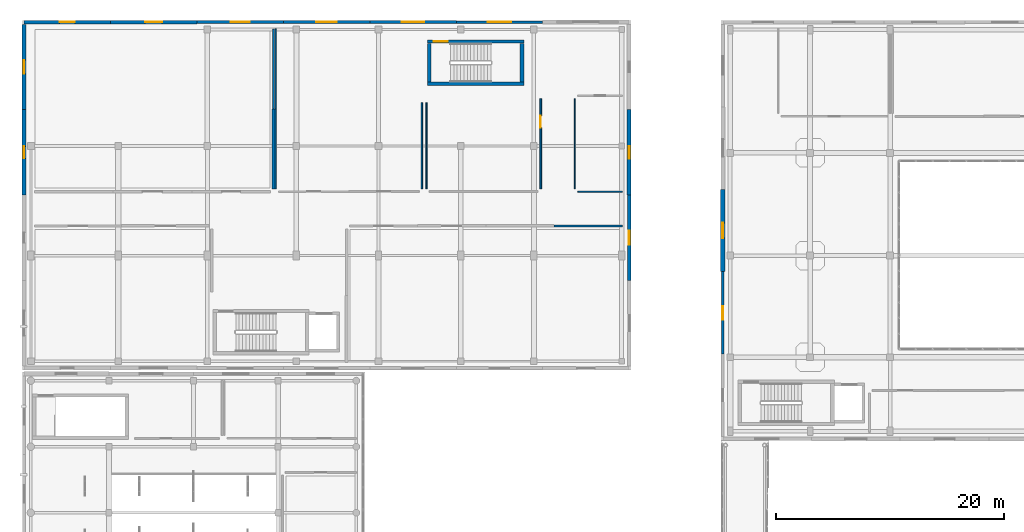
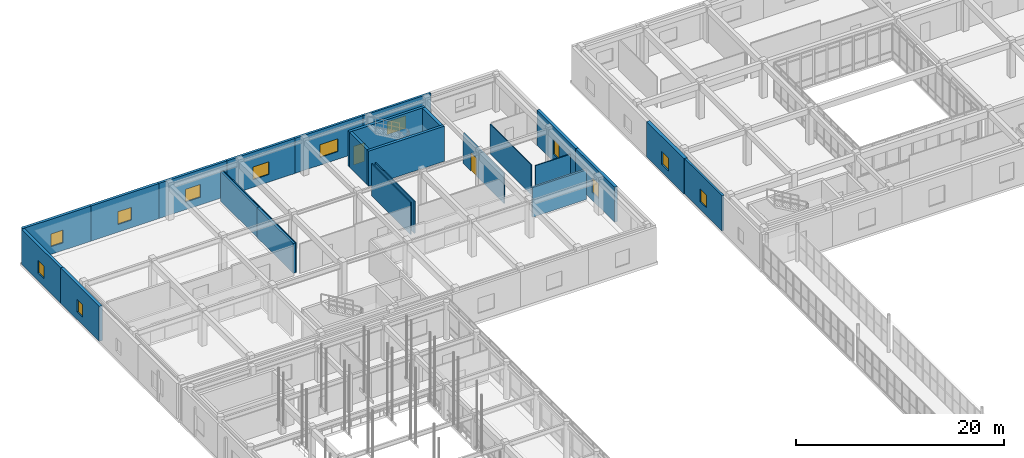
# One storey, part 124 of 142: 26 walls, 12 windows, 2 doors, 14 openings.
"""IFC4 building model written with IfcOpenShell, lengths in metres."""

from ifc_helpers import new_model, si_unit, direction, frame, frame_2d, origin, place, context, subcontext, project, spatial, rectangle, extrude, material, layer, layer_set, type_object, element, fill, save


model = new_model("IFC4")

# Units and contexts
model_context = context("Model", 3, precision=1e-05, world=origin(), true_north=direction((0.0, 1.0)))
body_context = subcontext(model_context, "Body", "Model", "MODEL_VIEW")
ifc_project = project(units=[si_unit("LENGTHUNIT", "METRE"), si_unit("AREAUNIT", "SQUARE_METRE"), si_unit("VOLUMEUNIT", "CUBIC_METRE"), si_unit("PLANEANGLEUNIT", "RADIAN"), si_unit("MASSUNIT", "GRAM", prefix="KILO")], contexts=[model_context])

# Site, building, storey
site_placement = place(None, origin())
site = spatial("IfcSite", under=ifc_project, at=site_placement, CompositionType="ELEMENT")
building_placement = place(site_placement, origin())
building = spatial("IfcBuilding", under=site, at=building_placement, Name="Valcora Specialist Clinic", CompositionType="ELEMENT")
storey_placement = place(building_placement, frame((0.0, 0.0, 5.10009765625)))
storey = spatial("IfcBuildingStorey", under=building, at=storey_placement, Name="L01", CompositionType="ELEMENT", Elevation=5.10009765625)

# Wall
ifc_material_1 = material(Name="Concrete C40/50", Category="concrete")
ifc_layer_1 = layer(ifc_material_1, 0.300048828125)
ifc_layer_set_1 = layer_set([ifc_layer_1], Name="Concrete C40/50")
wall_type_1 = type_object("IfcWallType", Name="TY-WL-CR300", PredefinedType="SHEAR", material=ifc_layer_set_1)
wall_1_placement = place(storey_placement, frame((35.5, 105.25, 0.0), z_axis=(0.0, 0.0, 1.0), x_axis=(1.0, 0.0, 0.0)))
element("IfcWall", 1, at=wall_1_placement, inside=storey, type_object=wall_type_1, Name="Core shear wall WL-CR-C-V2B-L01-S", PredefinedType="SHEAR", context=body_context, shape_type="SweptSolid", body=[
    extrude(rectangle(XDim=8.419921875, YDim=0.300048828125, at=frame_2d((4.2099609375, 0.0))), origin(), (0.0, 0.0, 1.0), 4.1298828125),
])

# Wall, opening, door
wall_2_placement = place(storey_placement, frame((35.5, 108.949951171875, 0.0), z_axis=(0.0, 0.0, 1.0), x_axis=(1.0, 0.0, 0.0)))
wall_2 = element("IfcWall", 2, at=wall_2_placement, inside=storey, type_object=wall_type_1, Name="Core shear wall WL-CR-C-V2B-L01-N", PredefinedType="SHEAR", context=body_context, shape_type="SweptSolid", body=[
    extrude(rectangle(XDim=8.419921875, YDim=0.300048828125, at=frame_2d((4.2099609375, 0.0))), origin(), (0.0, 0.0, 1.0), 4.1298828125),
])
opening_1_placement = place(wall_2_placement, frame((0.550048828125, 0.0, 0.0)))
opening_1 = element("IfcOpeningElement", 3, at=opening_1_placement, cuts=wall_2, Name="Opening DR-FD-120", PredefinedType="OPENING", context=body_context, shape_type="SweptSolid", body=[
    extrude(rectangle(XDim=1.199951171875, YDim=2.199951171875, at=frame_2d((0.60009765625, 1.10009765625))), frame((0.0, 0.159912109375, 0.0), z_axis=(0.0, -1.0, 0.0), x_axis=(1.0, 0.0, 0.0)), (0.0, 0.0, 1.0), 0.320068359375),
])
ifc_material_2 = material(Name="Galvanized Hollow Metal Door Steel ASTM A653", Category="steel")
door_type_1 = type_object("IfcDoorType", Name="TY-DR-ST120", OperationType="NOTDEFINED", PredefinedType="DOOR", material=ifc_material_2)
door_1_placement = place(opening_1_placement, origin())
door_1 = element("IfcDoor", 4, at=door_1_placement, inside=storey, type_object=door_type_1, Name="Exit stair fire door C-V2B L01", OperationType="SINGLE_SWING_LEFT", OverallHeight=2.199951171875, OverallWidth=1.199951171875, PredefinedType="DOOR", context=body_context, shape_type="SweptSolid", body=[
    extrude(rectangle(XDim=1.199951171875, YDim=2.199951171875, at=frame_2d((0.60009765625, 1.10009765625))), frame((0.0, 0.02490234375, 0.0), z_axis=(0.0, -1.0, 0.0), x_axis=(1.0, 0.0, 0.0)), (0.0, 0.0, 1.0), 0.050048828125),
])
fill(opening_1, door_1)

# Walls
wall_3_placement = place(storey_placement, frame((35.64990234375, 105.402099609375, 0.0), z_axis=(0.0, 0.0, 1.0), x_axis=(0.0, 1.0, 0.0)))
element("IfcWall", 5, at=wall_3_placement, inside=storey, type_object=wall_type_1, Name="Core shear wall WL-CR-C-V2B-L01-W", PredefinedType="SHEAR", context=body_context, shape_type="SweptSolid", body=[
    extrude(rectangle(XDim=3.39599609375, YDim=0.300048828125, at=frame_2d((1.697998046875, 0.0))), origin(), (0.0, 0.0, 1.0), 4.1298828125),
])
ifc_layer_2 = layer(ifc_material_1, 0.320068359375)
ifc_layer_set_2 = layer_set([ifc_layer_2], Name="Concrete C40/50")
wall_type_2 = type_object("IfcWallType", Name="TY-WL-CR320", PredefinedType="SHEAR", material=ifc_layer_set_2)
wall_4_placement = place(storey_placement, frame((43.760009765625, 105.402099609375, 0.0), z_axis=(0.0, 0.0, 1.0), x_axis=(0.0, 1.0, 0.0)))
element("IfcWall", 6, at=wall_4_placement, inside=storey, type_object=wall_type_2, Name="Core shear wall WL-CR-C-V2B-L01-E", PredefinedType="SHEAR", context=body_context, shape_type="SweptSolid", body=[
    extrude(rectangle(XDim=3.39599609375, YDim=0.320068359375, at=frame_2d((1.697998046875, 0.0))), origin(), (0.0, 0.0, 1.0), 4.1298828125),
])

# Wall, opening, window
ifc_material_3 = material(Name="Extruded Jalisco Clay Brick Masonry", Category="masonry")
ifc_layer_3 = layer(ifc_material_3, 0.235107421875)
ifc_layer_set_3 = layer_set([ifc_layer_3], Name="Extruded Jalisco Clay Brick Masonry")
wall_type_3 = type_object("IfcWallType", Name="TY-WL-EW235", PredefinedType="SOLIDWALL", material=ifc_layer_set_3)
wall_5_placement = place(storey_placement, frame((38.007080078125, 110.64990234375, 0.0), z_axis=(0.0, 0.0, 1.0), x_axis=(1.0, 0.0, 0.0)))
wall_5 = element("IfcWall", 7, at=wall_5_placement, inside=storey, type_object=wall_type_3, Name="Exterior wall WL-EXT-L01-0070", PredefinedType="SOLIDWALL", context=body_context, shape_type="SweptSolid", body=[
    extrude(rectangle(XDim=7.571533203125, YDim=0.235107421875, at=frame_2d((3.78564453125, 0.0))), origin(), (0.0, 0.0, 1.0), 4.1298828125),
])
opening_2_placement = place(wall_5_placement, frame((2.736083984375, 0.0, 0.89990234375)))
opening_2 = element("IfcOpeningElement", 8, at=opening_2_placement, cuts=wall_5, Name="Opening WN-09", PredefinedType="OPENING", context=body_context, shape_type="SweptSolid", body=[
    extrude(rectangle(XDim=2.10009765625, YDim=1.5, at=frame_2d((1.050048828125, 0.75))), frame((0.0, 0.12744140625, 0.0), z_axis=(0.0, -1.0, 0.0), x_axis=(1.0, 0.0, 0.0)), (0.0, 0.0, 1.0), 0.255126953125),
])
ifc_material_4 = material(Name="Low-E Laminated Insulating Glass", Category="glass")
window_type_1 = type_object("IfcWindowType", Name="TY-WN-09", PartitioningType="SINGLE_PANEL", PredefinedType="WINDOW", material=ifc_material_4)
window_1_placement = place(opening_2_placement, origin())
window_1 = element("IfcWindow", 9, at=window_1_placement, inside=storey, type_object=window_type_1, Name="Facade window WN-L01-0051", OverallHeight=1.5, OverallWidth=2.10009765625, PartitioningType="SINGLE_PANEL", PredefinedType="WINDOW", context=body_context, shape_type="SweptSolid", body=[
    extrude(rectangle(XDim=2.10009765625, YDim=1.5, at=frame_2d((1.050048828125, 0.75))), frame((0.0, 0.030029296875, 0.0), z_axis=(0.0, -1.0, 0.0), x_axis=(1.0, 0.0, 0.0)), (0.0, 0.0, 1.0), 0.06005859375),
])
fill(opening_2, window_1)

wall_6_placement = place(storey_placement, frame((61.35009765625, 81.56396484375, 0.0), z_axis=(0.0, 0.0, 1.0), x_axis=(0.0, 1.0, 0.0)))
wall_6 = element("IfcWall", 10, at=wall_6_placement, inside=storey, type_object=wall_type_3, Name="Exterior wall WL-EXT-L01-0150", PredefinedType="SOLIDWALL", context=body_context, shape_type="SweptSolid", body=[
    extrude(rectangle(XDim=7.22412109375, YDim=0.235107421875, at=frame_2d((3.612060546875, 0.0))), origin(), (0.0, 0.0, 1.0), 4.14501953125),
])
opening_3_placement = place(wall_6_placement, frame((3.011962890625, 0.0, 0.89990234375)))
opening_3 = element("IfcOpeningElement", 11, at=opening_3_placement, cuts=wall_6, Name="Opening WN-03", PredefinedType="OPENING", context=body_context, shape_type="SweptSolid", body=[
    extrude(rectangle(XDim=1.199951171875, YDim=1.5, at=frame_2d((0.60009765625, 0.75))), frame((0.0, 0.12744140625, 0.0), z_axis=(0.0, -1.0, 0.0), x_axis=(1.0, 0.0, 0.0)), (0.0, 0.0, 1.0), 0.255126953125),
])
window_type_2 = type_object("IfcWindowType", Name="TY-WN-03", PartitioningType="SINGLE_PANEL", PredefinedType="WINDOW", material=ifc_material_4)
window_2_placement = place(opening_3_placement, origin())
window_2 = element("IfcWindow", 12, at=window_2_placement, inside=storey, type_object=window_type_2, Name="Facade window WN-L01-0129", OverallHeight=1.5, OverallWidth=1.199951171875, PartitioningType="SINGLE_PANEL", PredefinedType="WINDOW", context=body_context, shape_type="SweptSolid", body=[
    extrude(rectangle(XDim=1.199951171875, YDim=1.5, at=frame_2d((0.60009765625, 0.75))), frame((0.0, 0.030029296875, 0.0), z_axis=(0.0, -1.0, 0.0), x_axis=(1.0, 0.0, 0.0)), (0.0, 0.0, 1.0), 0.06005859375),
])
fill(opening_3, window_2)

ifc_layer_4 = layer(ifc_material_3, 0.25)
ifc_layer_set_4 = layer_set([ifc_layer_4], Name="Extruded Jalisco Clay Brick Masonry")
wall_type_4 = type_object("IfcWallType", Name="TY-WL-EW250", PredefinedType="SOLIDWALL", material=ifc_layer_set_4)
wall_7_placement = place(storey_placement, frame((30.435791015625, 110.64990234375, 0.0), z_axis=(0.0, 0.0, 1.0), x_axis=(1.0, 0.0, 0.0)))
wall_7 = element("IfcWall", 13, at=wall_7_placement, inside=storey, type_object=wall_type_4, Name="Exterior wall WL-EXT-L01-0069", PredefinedType="SOLIDWALL", context=body_context, shape_type="SweptSolid", body=[
    extrude(rectangle(XDim=7.5712890625, YDim=0.25, at=frame_2d((3.78564453125, 0.0))), origin(), (0.0, 0.0, 1.0), 4.1298828125),
])
opening_4_placement = place(wall_7_placement, frame((2.81103515625, 0.0, 0.89990234375)))
opening_4 = element("IfcOpeningElement", 14, at=opening_4_placement, cuts=wall_7, Name="Opening WN-08", PredefinedType="OPENING", context=body_context, shape_type="SweptSolid", body=[
    extrude(rectangle(XDim=1.949951171875, YDim=1.5, at=frame_2d((0.97509765625, 0.75))), frame((0.0, 0.135009765625, 0.0), z_axis=(0.0, -1.0, 0.0), x_axis=(1.0, 0.0, 0.0)), (0.0, 0.0, 1.0), 0.27001953125),
])
window_type_3 = type_object("IfcWindowType", Name="TY-WN-08", PartitioningType="SINGLE_PANEL", PredefinedType="WINDOW", material=ifc_material_4)
window_3_placement = place(opening_4_placement, origin())
window_3 = element("IfcWindow", 15, at=window_3_placement, inside=storey, type_object=window_type_3, Name="Facade window WN-L01-0050", OverallHeight=1.5, OverallWidth=1.949951171875, PartitioningType="SINGLE_PANEL", PredefinedType="WINDOW", context=body_context, shape_type="SweptSolid", body=[
    extrude(rectangle(XDim=1.949951171875, YDim=1.5, at=frame_2d((0.97509765625, 0.75))), frame((0.0, 0.030029296875, 0.0), z_axis=(0.0, -1.0, 0.0), x_axis=(1.0, 0.0, 0.0)), (0.0, 0.0, 1.0), 0.06005859375),
])
fill(opening_4, window_3)

ifc_layer_5 = layer(ifc_material_3, 0.264892578125)
ifc_layer_set_5 = layer_set([ifc_layer_5], Name="Extruded Jalisco Clay Brick Masonry")
wall_type_5 = type_object("IfcWallType", Name="TY-WL-EW265", PredefinedType="SOLIDWALL", material=ifc_layer_set_5)
wall_8_placement = place(storey_placement, frame((22.8642578125, 110.64990234375, 0.0), z_axis=(0.0, 0.0, 1.0), x_axis=(1.0, 0.0, 0.0)))
wall_8 = element("IfcWall", 16, at=wall_8_placement, inside=storey, type_object=wall_type_5, Name="Exterior wall WL-EXT-L01-0068", PredefinedType="SOLIDWALL", context=body_context, shape_type="SweptSolid", body=[
    extrude(rectangle(XDim=7.571533203125, YDim=0.264892578125, at=frame_2d((3.78564453125, 0.0))), origin(), (0.0, 0.0, 1.0), 4.1298828125),
])
opening_5_placement = place(wall_8_placement, frame((2.885986328125, 0.0, 0.89990234375)))
opening_5 = element("IfcOpeningElement", 17, at=opening_5_placement, cuts=wall_8, Name="Opening WN-07", PredefinedType="OPENING", context=body_context, shape_type="SweptSolid", body=[
    extrude(rectangle(XDim=1.800048828125, YDim=1.5, at=frame_2d((0.89990234375, 0.75))), frame((0.0, 0.142333984375, 0.0), z_axis=(0.0, -1.0, 0.0), x_axis=(1.0, 0.0, 0.0)), (0.0, 0.0, 1.0), 0.284912109375),
])
window_type_4 = type_object("IfcWindowType", Name="TY-WN-07", PartitioningType="SINGLE_PANEL", PredefinedType="WINDOW", material=ifc_material_4)
window_4_placement = place(opening_5_placement, origin())
window_4 = element("IfcWindow", 18, at=window_4_placement, inside=storey, type_object=window_type_4, Name="Facade window WN-L01-0049", OverallHeight=1.5, OverallWidth=1.800048828125, PartitioningType="SINGLE_PANEL", PredefinedType="WINDOW", context=body_context, shape_type="SweptSolid", body=[
    extrude(rectangle(XDim=1.800048828125, YDim=1.5, at=frame_2d((0.89990234375, 0.75))), frame((0.0, 0.030029296875, 0.0), z_axis=(0.0, -1.0, 0.0), x_axis=(1.0, 0.0, 0.0)), (0.0, 0.0, 1.0), 0.06005859375),
])
fill(opening_5, window_4)

ifc_layer_6 = layer(ifc_material_3, 0.280029296875)
ifc_layer_set_6 = layer_set([ifc_layer_6], Name="Extruded Jalisco Clay Brick Masonry")
wall_type_6 = type_object("IfcWallType", Name="TY-WL-EW280", PredefinedType="SOLIDWALL", material=ifc_layer_set_6)
wall_9_placement = place(storey_placement, frame((15.29296875, 110.64990234375, 0.0), z_axis=(0.0, 0.0, 1.0), x_axis=(1.0, 0.0, 0.0)))
wall_9 = element("IfcWall", 19, at=wall_9_placement, inside=storey, type_object=wall_type_6, Name="Exterior wall WL-EXT-L01-0067", PredefinedType="SOLIDWALL", context=body_context, shape_type="SweptSolid", body=[
    extrude(rectangle(XDim=7.5712890625, YDim=0.280029296875, at=frame_2d((3.78564453125, 0.0))), origin(), (0.0, 0.0, 1.0), 4.1298828125),
])
opening_6_placement = place(wall_9_placement, frame((2.9609375, 0.0, 0.89990234375)))
opening_6 = element("IfcOpeningElement", 20, at=opening_6_placement, cuts=wall_9, Name="Opening WN-06", PredefinedType="OPENING", context=body_context, shape_type="SweptSolid", body=[
    extrude(rectangle(XDim=1.64990234375, YDim=1.5, at=frame_2d((0.824951171875, 0.75))), frame((0.0, 0.14990234375, 0.0), z_axis=(0.0, -1.0, 0.0), x_axis=(1.0, 0.0, 0.0)), (0.0, 0.0, 1.0), 0.300048828125),
])
window_type_5 = type_object("IfcWindowType", Name="TY-WN-06", PartitioningType="SINGLE_PANEL", PredefinedType="WINDOW", material=ifc_material_4)
window_5_placement = place(opening_6_placement, origin())
window_5 = element("IfcWindow", 21, at=window_5_placement, inside=storey, type_object=window_type_5, Name="Facade window WN-L01-0048", OverallHeight=1.5, OverallWidth=1.64990234375, PartitioningType="SINGLE_PANEL", PredefinedType="WINDOW", context=body_context, shape_type="SweptSolid", body=[
    extrude(rectangle(XDim=1.64990234375, YDim=1.5, at=frame_2d((0.824951171875, 0.75))), frame((0.0, 0.030029296875, 0.0), z_axis=(0.0, -1.0, 0.0), x_axis=(1.0, 0.0, 0.0)), (0.0, 0.0, 1.0), 0.06005859375),
])
fill(opening_6, window_5)

ifc_layer_7 = layer(ifc_material_3, 0.294921875)
ifc_layer_set_7 = layer_set([ifc_layer_7], Name="Extruded Jalisco Clay Brick Masonry")
wall_type_7 = type_object("IfcWallType", Name="TY-WL-EW295", PredefinedType="SOLIDWALL", material=ifc_layer_set_7)
wall_10_placement = place(storey_placement, frame((7.721435546875, 110.64990234375, 0.0), z_axis=(0.0, 0.0, 1.0), x_axis=(1.0, 0.0, 0.0)))
wall_10 = element("IfcWall", 22, at=wall_10_placement, inside=storey, type_object=wall_type_7, Name="Exterior wall WL-EXT-L01-0066", PredefinedType="SOLIDWALL", context=body_context, shape_type="SweptSolid", body=[
    extrude(rectangle(XDim=7.571533203125, YDim=0.294921875, at=frame_2d((3.78564453125, 0.0))), origin(), (0.0, 0.0, 1.0), 4.1298828125),
])
opening_7_placement = place(wall_10_placement, frame((3.035888671875, 0.0, 0.89990234375)))
opening_7 = element("IfcOpeningElement", 23, at=opening_7_placement, cuts=wall_10, Name="Opening WN-05", PredefinedType="OPENING", context=body_context, shape_type="SweptSolid", body=[
    extrude(rectangle(XDim=1.5, YDim=1.5, at=frame_2d((0.75, 0.75))), frame((0.0, 0.157470703125, 0.0), z_axis=(0.0, -1.0, 0.0), x_axis=(1.0, 0.0, 0.0)), (0.0, 0.0, 1.0), 0.31494140625),
])
window_type_6 = type_object("IfcWindowType", Name="TY-WN-05", PartitioningType="SINGLE_PANEL", PredefinedType="WINDOW", material=ifc_material_4)
window_6_placement = place(opening_7_placement, origin())
window_6 = element("IfcWindow", 24, at=window_6_placement, inside=storey, type_object=window_type_6, Name="Facade window WN-L01-0047", OverallHeight=1.5, OverallWidth=1.5, PartitioningType="SINGLE_PANEL", PredefinedType="WINDOW", context=body_context, shape_type="SweptSolid", body=[
    extrude(rectangle(XDim=1.5, YDim=1.5, at=frame_2d((0.75, 0.75))), frame((0.0, 0.030029296875, 0.0), z_axis=(0.0, -1.0, 0.0), x_axis=(1.0, 0.0, 0.0)), (0.0, 0.0, 1.0), 0.06005859375),
])
fill(opening_7, window_6)

ifc_layer_8 = layer(ifc_material_3, 0.31005859375)
ifc_layer_set_8 = layer_set([ifc_layer_8], Name="Extruded Jalisco Clay Brick Masonry")
wall_type_8 = type_object("IfcWallType", Name="TY-WL-EW310", PredefinedType="SOLIDWALL", material=ifc_layer_set_8)
wall_11_placement = place(storey_placement, frame((0.14990234375, 110.64990234375, 0.0), z_axis=(0.0, 0.0, 1.0), x_axis=(1.0, 0.0, 0.0)))
wall_11 = element("IfcWall", 25, at=wall_11_placement, inside=storey, type_object=wall_type_8, Name="Exterior wall WL-EXT-L01-0065", PredefinedType="SOLIDWALL", context=body_context, shape_type="SweptSolid", body=[
    extrude(rectangle(XDim=7.571533203125, YDim=0.31005859375, at=frame_2d((3.78564453125, 0.0))), origin(), (0.0, 0.0, 1.0), 4.1298828125),
])
opening_8_placement = place(wall_11_placement, frame((3.111083984375, 0.0, 0.89990234375)))
opening_8 = element("IfcOpeningElement", 26, at=opening_8_placement, cuts=wall_11, Name="Opening WN-04", PredefinedType="OPENING", context=body_context, shape_type="SweptSolid", body=[
    extrude(rectangle(XDim=1.35009765625, YDim=1.5, at=frame_2d((0.675048828125, 0.75))), frame((0.0, 0.1650390625, 0.0), z_axis=(0.0, -1.0, 0.0), x_axis=(1.0, 0.0, 0.0)), (0.0, 0.0, 1.0), 0.330078125),
])
window_type_7 = type_object("IfcWindowType", Name="TY-WN-04", PartitioningType="SINGLE_PANEL", PredefinedType="WINDOW", material=ifc_material_4)
window_7_placement = place(opening_8_placement, origin())
window_7 = element("IfcWindow", 27, at=window_7_placement, inside=storey, type_object=window_type_7, Name="Facade window WN-L01-0046", OverallHeight=1.5, OverallWidth=1.35009765625, PartitioningType="SINGLE_PANEL", PredefinedType="WINDOW", context=body_context, shape_type="SweptSolid", body=[
    extrude(rectangle(XDim=1.35009765625, YDim=1.5, at=frame_2d((0.675048828125, 0.75))), frame((0.0, 0.030029296875, 0.0), z_axis=(0.0, -1.0, 0.0), x_axis=(1.0, 0.0, 0.0)), (0.0, 0.0, 1.0), 0.06005859375),
])
fill(opening_8, window_7)

ifc_layer_9 = layer(ifc_material_3, 0.324951171875)
ifc_layer_set_9 = layer_set([ifc_layer_9], Name="Extruded Jalisco Clay Brick Masonry")
wall_type_9 = type_object("IfcWallType", Name="TY-WL-EW325", PredefinedType="SOLIDWALL", material=ifc_layer_set_9)
wall_12_placement = place(storey_placement, frame((0.14990234375, 102.97998046875, 0.0), z_axis=(0.0, 0.0, 1.0), x_axis=(0.0, 1.0, 0.0)))
wall_12 = element("IfcWall", 28, at=wall_12_placement, inside=storey, type_object=wall_type_9, Name="Exterior wall WL-EXT-L01-0064", PredefinedType="SOLIDWALL", context=body_context, shape_type="SweptSolid", body=[
    extrude(rectangle(XDim=7.47998046875, YDim=0.324951171875, at=frame_2d((3.739990234375, 0.0))), origin(), (0.0, 0.0, 1.0), 4.1298828125),
])
opening_9_placement = place(wall_12_placement, frame((3.139892578125, 0.0, 0.89990234375)))
opening_9 = element("IfcOpeningElement", 29, at=opening_9_placement, cuts=wall_12, Name="Opening WN-03", PredefinedType="OPENING", context=body_context, shape_type="SweptSolid", body=[
    extrude(rectangle(XDim=1.199951171875, YDim=1.5, at=frame_2d((0.60009765625, 0.75))), frame((0.0, 0.17236328125, 0.0), z_axis=(0.0, -1.0, 0.0), x_axis=(1.0, 0.0, 0.0)), (0.0, 0.0, 1.0), 0.344970703125),
])
window_8_placement = place(opening_9_placement, origin())
window_8 = element("IfcWindow", 30, at=window_8_placement, inside=storey, type_object=window_type_2, Name="Facade window WN-L01-0045", OverallHeight=1.5, OverallWidth=1.199951171875, PartitioningType="SINGLE_PANEL", PredefinedType="WINDOW", context=body_context, shape_type="SweptSolid", body=[
    extrude(rectangle(XDim=1.199951171875, YDim=1.5, at=frame_2d((0.60009765625, 0.75))), frame((0.0, 0.030029296875, 0.0), z_axis=(0.0, -1.0, 0.0), x_axis=(1.0, 0.0, 0.0)), (0.0, 0.0, 1.0), 0.06005859375),
])
fill(opening_9, window_8)

wall_13_placement = place(storey_placement, frame((53.14990234375, 95.5, 0.0), z_axis=(0.0, 0.0, 1.0), x_axis=(0.0, -1.0, 0.0)))
wall_13 = element("IfcWall", 31, at=wall_13_placement, inside=storey, type_object=wall_type_9, Name="Exterior wall WL-EXT-L01-0074", PredefinedType="SOLIDWALL", context=body_context, shape_type="SweptSolid", body=[
    extrude(rectangle(XDim=7.47998046875, YDim=0.324951171875, at=frame_2d((3.739990234375, 0.0))), origin(), (0.0, 0.0, 1.0), 4.1298828125),
])
opening_10_placement = place(wall_13_placement, frame((3.114990234375, 0.0, 0.89990234375)))
opening_10 = element("IfcOpeningElement", 32, at=opening_10_placement, cuts=wall_13, Name="Opening WN-13", PredefinedType="OPENING", context=body_context, shape_type="SweptSolid", body=[
    extrude(rectangle(XDim=1.25, YDim=1.75, at=frame_2d((0.625, 0.875))), frame((0.0, 0.17236328125, 0.0), z_axis=(0.0, -1.0, 0.0), x_axis=(1.0, 0.0, 0.0)), (0.0, 0.0, 1.0), 0.344970703125),
])
window_type_8 = type_object("IfcWindowType", Name="TY-WN-13", PartitioningType="SINGLE_PANEL", PredefinedType="WINDOW", material=ifc_material_4)
window_9_placement = place(opening_10_placement, origin())
window_9 = element("IfcWindow", 33, at=window_9_placement, inside=storey, type_object=window_type_8, Name="Facade window WN-L01-0055", OverallHeight=1.75, OverallWidth=1.25, PartitioningType="SINGLE_PANEL", PredefinedType="WINDOW", context=body_context, shape_type="SweptSolid", body=[
    extrude(rectangle(XDim=1.25, YDim=1.75, at=frame_2d((0.625, 0.875))), frame((0.0, 0.030029296875, 0.0), z_axis=(0.0, -1.0, 0.0), x_axis=(1.0, 0.0, 0.0)), (0.0, 0.0, 1.0), 0.06005859375),
])
fill(opening_10, window_9)

ifc_layer_10 = layer(ifc_material_3, 0.340087890625)
ifc_layer_set_10 = layer_set([ifc_layer_10], Name="Extruded Jalisco Clay Brick Masonry")
wall_type_10 = type_object("IfcWallType", Name="TY-WL-EW340", PredefinedType="SOLIDWALL", material=ifc_layer_set_10)
wall_14_placement = place(storey_placement, frame((0.14990234375, 95.5, 0.0), z_axis=(0.0, 0.0, 1.0), x_axis=(0.0, 1.0, 0.0)))
wall_14 = element("IfcWall", 34, at=wall_14_placement, inside=storey, type_object=wall_type_10, Name="Exterior wall WL-EXT-L01-0063", PredefinedType="SOLIDWALL", context=body_context, shape_type="SweptSolid", body=[
    extrude(rectangle(XDim=7.47998046875, YDim=0.340087890625, at=frame_2d((3.739990234375, 0.0))), origin(), (0.0, 0.0, 1.0), 4.1298828125),
])
opening_11_placement = place(wall_14_placement, frame((3.215087890625, 0.0, 0.89990234375)))
opening_11 = element("IfcOpeningElement", 35, at=opening_11_placement, cuts=wall_14, Name="Opening WN-02", PredefinedType="OPENING", context=body_context, shape_type="SweptSolid", body=[
    extrude(rectangle(XDim=1.050048828125, YDim=1.5, at=frame_2d((0.52490234375, 0.75))), frame((0.0, 0.179931640625, 0.0), z_axis=(0.0, -1.0, 0.0), x_axis=(1.0, 0.0, 0.0)), (0.0, 0.0, 1.0), 0.360107421875),
])
window_type_9 = type_object("IfcWindowType", Name="TY-WN-02", PartitioningType="SINGLE_PANEL", PredefinedType="WINDOW", material=ifc_material_4)
window_10_placement = place(opening_11_placement, origin())
window_10 = element("IfcWindow", 36, at=window_10_placement, inside=storey, type_object=window_type_9, Name="Facade window WN-L01-0044", OverallHeight=1.5, OverallWidth=1.050048828125, PartitioningType="SINGLE_PANEL", PredefinedType="WINDOW", context=body_context, shape_type="SweptSolid", body=[
    extrude(rectangle(XDim=1.050048828125, YDim=1.5, at=frame_2d((0.52490234375, 0.75))), frame((0.0, 0.030029296875, 0.0), z_axis=(0.0, -1.0, 0.0), x_axis=(1.0, 0.0, 0.0)), (0.0, 0.0, 1.0), 0.06005859375),
])
fill(opening_11, window_10)

wall_15_placement = place(storey_placement, frame((53.14990234375, 102.97998046875, 0.0), z_axis=(0.0, 0.0, 1.0), x_axis=(0.0, -1.0, 0.0)))
wall_15 = element("IfcWall", 37, at=wall_15_placement, inside=storey, type_object=wall_type_10, Name="Exterior wall WL-EXT-L01-0073", PredefinedType="SOLIDWALL", context=body_context, shape_type="SweptSolid", body=[
    extrude(rectangle(XDim=7.47998046875, YDim=0.340087890625, at=frame_2d((3.739990234375, 0.0))), origin(), (0.0, 0.0, 1.0), 4.1298828125),
])
opening_12_placement = place(wall_15_placement, frame((3.18994140625, 0.0, 0.89990234375)))
opening_12 = element("IfcOpeningElement", 38, at=opening_12_placement, cuts=wall_15, Name="Opening WN-12", PredefinedType="OPENING", context=body_context, shape_type="SweptSolid", body=[
    extrude(rectangle(XDim=1.10009765625, YDim=1.75, at=frame_2d((0.550048828125, 0.875))), frame((0.0, 0.179931640625, 0.0), z_axis=(0.0, -1.0, 0.0), x_axis=(1.0, 0.0, 0.0)), (0.0, 0.0, 1.0), 0.360107421875),
])
window_type_10 = type_object("IfcWindowType", Name="TY-WN-12", PartitioningType="SINGLE_PANEL", PredefinedType="WINDOW", material=ifc_material_4)
window_11_placement = place(opening_12_placement, origin())
window_11 = element("IfcWindow", 39, at=window_11_placement, inside=storey, type_object=window_type_10, Name="Facade window WN-L01-0054", OverallHeight=1.75, OverallWidth=1.10009765625, PartitioningType="SINGLE_PANEL", PredefinedType="WINDOW", context=body_context, shape_type="SweptSolid", body=[
    extrude(rectangle(XDim=1.10009765625, YDim=1.75, at=frame_2d((0.550048828125, 0.875))), frame((0.0, 0.030029296875, 0.0), z_axis=(0.0, -1.0, 0.0), x_axis=(1.0, 0.0, 0.0)), (0.0, 0.0, 1.0), 0.06005859375),
])
fill(opening_12, window_11)

ifc_layer_11 = layer(ifc_material_3, 0.3701171875)
ifc_layer_set_11 = layer_set([ifc_layer_11], Name="Extruded Jalisco Clay Brick Masonry")
wall_type_11 = type_object("IfcWallType", Name="TY-WL-EW370", PredefinedType="SOLIDWALL", material=ifc_layer_set_11)
wall_16_placement = place(storey_placement, frame((61.35009765625, 88.7880859375, 0.0), z_axis=(0.0, 0.0, 1.0), x_axis=(0.0, 1.0, 0.0)))
wall_16 = element("IfcWall", 40, at=wall_16_placement, inside=storey, type_object=wall_type_11, Name="Exterior wall WL-EXT-L01-0151", PredefinedType="SOLIDWALL", context=body_context, shape_type="SweptSolid", body=[
    extrude(rectangle(XDim=7.223876953125, YDim=0.3701171875, at=frame_2d((3.61181640625, 0.0))), origin(), (0.0, 0.0, 1.0), 4.14501953125),
])
opening_13_placement = place(wall_16_placement, frame((2.93701171875, 0.0, 0.89990234375)))
opening_13 = element("IfcOpeningElement", 41, at=opening_13_placement, cuts=wall_16, Name="Opening WN-04", PredefinedType="OPENING", context=body_context, shape_type="SweptSolid", body=[
    extrude(rectangle(XDim=1.35009765625, YDim=1.5, at=frame_2d((0.675048828125, 0.75))), frame((0.0, 0.195068359375, 0.0), z_axis=(0.0, -1.0, 0.0), x_axis=(1.0, 0.0, 0.0)), (0.0, 0.0, 1.0), 0.39013671875),
])
window_12_placement = place(opening_13_placement, origin())
window_12 = element("IfcWindow", 42, at=window_12_placement, inside=storey, type_object=window_type_7, Name="Facade window WN-L01-0130", OverallHeight=1.5, OverallWidth=1.35009765625, PartitioningType="SINGLE_PANEL", PredefinedType="WINDOW", context=body_context, shape_type="SweptSolid", body=[
    extrude(rectangle(XDim=1.35009765625, YDim=1.5, at=frame_2d((0.675048828125, 0.75))), frame((0.0, 0.030029296875, 0.0), z_axis=(0.0, -1.0, 0.0), x_axis=(1.0, 0.0, 0.0)), (0.0, 0.0, 1.0), 0.06005859375),
])
fill(opening_13, window_12)

# Walls
ifc_material_5 = material(Name="Gypsum Board Partition Assembly")
ifc_layer_12 = layer(ifc_material_5, 0.094970703125)
ifc_layer_set_12 = layer_set([ifc_layer_12], Name="Gypsum Board Partition Assembly")
wall_type_12 = type_object("IfcWallType", Name="TY-WL-PT095", PredefinedType="PARTITIONING", material=ifc_layer_set_12)
wall_17_placement = place(storey_placement, frame((22.199951171875, 103.050048828125, 0.0), z_axis=(0.0, 0.0, 1.0), x_axis=(0.0, 1.0, 0.0)))
element("IfcWall", 43, at=wall_17_placement, inside=storey, type_object=wall_type_12, Name="Interior partition WL-INT-L01-0185", PredefinedType="PARTITIONING", context=body_context, shape_type="SweptSolid", body=[
    extrude(rectangle(XDim=7.0, YDim=0.094970703125, at=frame_2d((3.5, 0.0))), origin(), (0.0, 0.0, 1.0), 3.513916015625),
])
wall_18_placement = place(storey_placement, frame((48.39990234375, 96.050048828125, 0.0), z_axis=(0.0, 0.0, 1.0), x_axis=(0.0, 1.0, 0.0)))
element("IfcWall", 44, at=wall_18_placement, inside=storey, type_object=wall_type_12, Name="Interior partition WL-INT-L01-0191", PredefinedType="PARTITIONING", context=body_context, shape_type="SweptSolid", body=[
    extrude(rectangle(XDim=7.89990234375, YDim=0.094970703125, at=frame_2d((3.949951171875, 0.0))), origin(), (0.0, 0.0, 1.0), 3.513916015625),
])
ifc_layer_13 = layer(ifc_material_5, 0.10498046875)
ifc_layer_set_13 = layer_set([ifc_layer_13], Name="Gypsum Board Partition Assembly")
wall_type_13 = type_object("IfcWallType", Name="TY-WL-PT105", PredefinedType="PARTITIONING", material=ifc_layer_set_13)
wall_19_placement = place(storey_placement, frame((22.199951171875, 96.050048828125, 0.0), z_axis=(0.0, 0.0, 1.0), x_axis=(0.0, 1.0, 0.0)))
element("IfcWall", 45, at=wall_19_placement, inside=storey, type_object=wall_type_13, Name="Interior partition WL-INT-L01-0184", PredefinedType="PARTITIONING", context=body_context, shape_type="SweptSolid", body=[
    extrude(rectangle(XDim=7.0, YDim=0.10498046875, at=frame_2d((3.5, 0.0))), origin(), (0.0, 0.0, 1.0), 3.513916015625),
])
wall_20_placement = place(storey_placement, frame((52.550048828125, 95.800048828125, 0.0), z_axis=(0.0, 0.0, 1.0), x_axis=(-1.0, 0.0, 0.0)))
element("IfcWall", 46, at=wall_20_placement, inside=storey, type_object=wall_type_13, Name="Interior partition WL-INT-L01-0190", PredefinedType="PARTITIONING", context=body_context, shape_type="SweptSolid", body=[
    extrude(rectangle(XDim=3.900146484375, YDim=0.10498046875, at=frame_2d((1.9501953125, 0.0))), origin(), (0.0, 0.0, 1.0), 3.47998046875),
])
ifc_layer_14 = layer(ifc_material_5, 0.125)
ifc_layer_set_14 = layer_set([ifc_layer_14], Name="Gypsum Board Partition Assembly")
wall_type_14 = type_object("IfcWallType", Name="TY-WL-PT125", PredefinedType="PARTITIONING", material=ifc_layer_set_14)
wall_21_placement = place(storey_placement, frame((35.39990234375, 96.050048828125, 0.0), z_axis=(0.0, 0.0, 1.0), x_axis=(0.0, 1.0, 0.0)))
element("IfcWall", 47, at=wall_21_placement, inside=storey, type_object=wall_type_14, Name="Interior partition WL-INT-L01-0188", PredefinedType="PARTITIONING", context=body_context, shape_type="SweptSolid", body=[
    extrude(rectangle(XDim=7.550048828125, YDim=0.125, at=frame_2d((3.77490234375, 0.0))), origin(), (0.0, 0.0, 1.0), 3.77001953125),
])
ifc_layer_15 = layer(ifc_material_5, 0.135009765625)
ifc_layer_set_15 = layer_set([ifc_layer_15], Name="Gypsum Board Partition Assembly")
wall_type_15 = type_object("IfcWallType", Name="TY-WL-PT135", PredefinedType="PARTITIONING", material=ifc_layer_set_15)
wall_22_placement = place(storey_placement, frame((35.0, 103.60009765625, 0.0), z_axis=(0.0, 0.0, 1.0), x_axis=(0.0, -1.0, 0.0)))
element("IfcWall", 48, at=wall_22_placement, inside=storey, type_object=wall_type_15, Name="Interior partition WL-INT-L01-0181", PredefinedType="PARTITIONING", context=body_context, shape_type="SweptSolid", body=[
    extrude(rectangle(XDim=7.550048828125, YDim=0.135009765625, at=frame_2d((3.77490234375, 0.0))), origin(), (0.0, 0.0, 1.0), 3.77001953125),
])

# Wall, opening, door
ifc_layer_16 = layer(ifc_material_5, 0.14501953125)
ifc_layer_set_16 = layer_set([ifc_layer_16], Name="Gypsum Board Partition Assembly")
wall_type_16 = type_object("IfcWallType", Name="TY-WL-PT145", PredefinedType="PARTITIONING", material=ifc_layer_set_16)
wall_23_placement = place(storey_placement, frame((45.39990234375, 103.949951171875, 0.0), z_axis=(0.0, 0.0, 1.0), x_axis=(0.0, -1.0, 0.0)))
wall_23 = element("IfcWall", 49, at=wall_23_placement, inside=storey, type_object=wall_type_16, Name="Interior partition WL-INT-L01-0186", PredefinedType="PARTITIONING", context=body_context, shape_type="SweptSolid", body=[
    extrude(rectangle(XDim=7.89990234375, YDim=0.14501953125, at=frame_2d((3.949951171875, 0.0))), origin(), (0.0, 0.0, 1.0), 3.513916015625),
])
opening_14_placement = place(wall_23_placement, frame((1.5048828125, 0.0, 0.0)))
opening_14 = element("IfcOpeningElement", 50, at=opening_14_placement, cuts=wall_23, Name="Opening DR-CN-106", PredefinedType="OPENING", context=body_context, shape_type="SweptSolid", body=[
    extrude(rectangle(XDim=1.06005859375, YDim=2.14990234375, at=frame_2d((0.530029296875, 1.074951171875))), frame((0.0, 0.08251953125, 0.0), z_axis=(0.0, -1.0, 0.0), x_axis=(1.0, 0.0, 0.0)), (0.0, 0.0, 1.0), 0.1650390625),
])
ifc_material_6 = material(Name="Glulam Conifer Class 24F", Category="wood")
door_type_2 = type_object("IfcDoorType", Name="TY-DR-CN106", OperationType="NOTDEFINED", PredefinedType="DOOR", material=ifc_material_6)
door_2_placement = place(opening_14_placement, origin())
door_2 = element("IfcDoor", 51, at=door_2_placement, inside=storey, type_object=door_type_2, Name="Interior door DR-INT-L01-0054", OperationType="SINGLE_SWING_RIGHT", OverallHeight=2.14990234375, OverallWidth=1.06005859375, PredefinedType="DOOR", context=body_context, shape_type="SweptSolid", body=[
    extrude(rectangle(XDim=1.06005859375, YDim=2.14990234375, at=frame_2d((0.530029296875, 1.074951171875))), frame((0.0, 0.02490234375, 0.0), z_axis=(0.0, -1.0, 0.0), x_axis=(1.0, 0.0, 0.0)), (0.0, 0.0, 1.0), 0.050048828125),
])
fill(opening_14, door_2)

# Walls
ifc_material_7 = material(Name="Lead-Lined Gypsum Partition Assembly")
ifc_layer_17 = layer(ifc_material_7, 0.205078125)
ifc_layer_set_17 = layer_set([ifc_layer_17], Name="Lead-Lined Gypsum Partition Assembly")
wall_type_17 = type_object("IfcWallType", Name="TY-WL-PT205", PredefinedType="PARTITIONING", material=ifc_layer_set_17)
wall_24_placement = place(storey_placement, frame((46.574951171875, 92.800048828125, 0.0), z_axis=(0.0, 0.0, 1.0), x_axis=(1.0, 0.0, 0.0)))
element("IfcWall", 52, at=wall_24_placement, inside=storey, type_object=wall_type_17, Name="Interior partition WL-INT-L01-0173", PredefinedType="PARTITIONING", context=body_context, shape_type="SweptSolid", body=[
    extrude(rectangle(XDim=5.97509765625, YDim=0.205078125, at=frame_2d((2.987548828125, 0.0))), origin(), (0.0, 0.0, 1.0), 3.47998046875),
])
wall_25_placement = place(storey_placement, frame((22.0, 110.050048828125, 0.0), z_axis=(0.0, 0.0, 1.0), x_axis=(0.0, -1.0, 0.0)))
element("IfcWall", 53, at=wall_25_placement, inside=storey, type_object=wall_type_17, Name="Interior partition WL-INT-L01-0176", PredefinedType="PARTITIONING", context=body_context, shape_type="SweptSolid", body=[
    extrude(rectangle(XDim=7.0, YDim=0.205078125, at=frame_2d((3.5, 0.0))), origin(), (0.0, 0.0, 1.0), 3.513916015625),
])
ifc_layer_18 = layer(ifc_material_7, 0.22998046875)
ifc_layer_set_18 = layer_set([ifc_layer_18], Name="Lead-Lined Gypsum Partition Assembly")
wall_type_18 = type_object("IfcWallType", Name="TY-WL-PT230", PredefinedType="PARTITIONING", material=ifc_layer_set_18)
wall_26_placement = place(storey_placement, frame((22.0, 103.050048828125, 0.0), z_axis=(0.0, 0.0, 1.0), x_axis=(0.0, -1.0, 0.0)))
element("IfcWall", 54, at=wall_26_placement, inside=storey, type_object=wall_type_18, Name="Interior partition WL-INT-L01-0177", PredefinedType="PARTITIONING", context=body_context, shape_type="SweptSolid", body=[
    extrude(rectangle(XDim=7.0, YDim=0.22998046875, at=frame_2d((3.5, 0.0))), origin(), (0.0, 0.0, 1.0), 3.513916015625),
])

save(model, "model.ifc")
